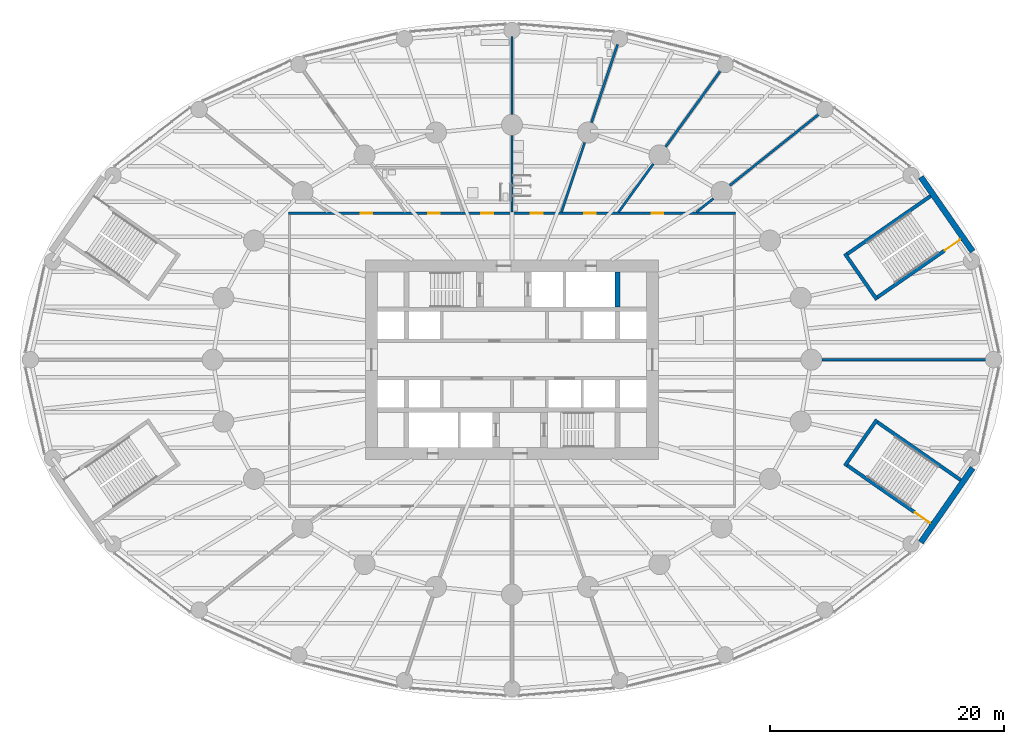
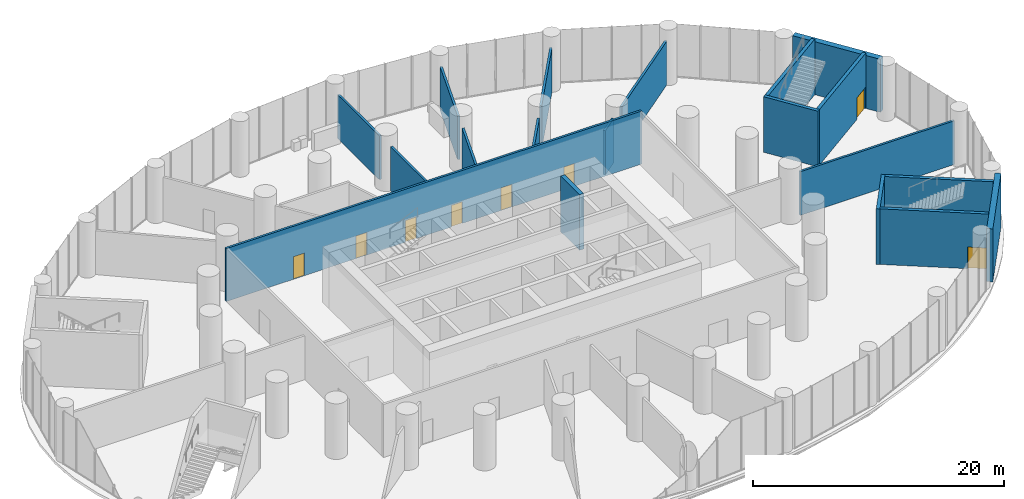
# One storey, part 18 of 23: 19 walls, 8 doors, 8 openings.
"""IFC4 building model written with IfcOpenShell, lengths in metres."""

from ifc_helpers import new_model, si_unit, direction, frame, frame_2d, origin, place, context, subcontext, project, spatial, rectangle, extrude, material, layer, layer_set, type_object, element, fill, save


model = new_model("IFC4")

# Units and contexts
model_context = context("Model", 3, precision=1e-05, world=origin(), true_north=direction((0.0, 1.0)))
body_context = subcontext(model_context, "Body", "Model", "MODEL_VIEW")
ifc_project = project(units=[si_unit("LENGTHUNIT", "METRE"), si_unit("AREAUNIT", "SQUARE_METRE"), si_unit("VOLUMEUNIT", "CUBIC_METRE"), si_unit("PLANEANGLEUNIT", "RADIAN"), si_unit("MASSUNIT", "GRAM", prefix="KILO")], contexts=[model_context])

# Site, building, storey
site_placement = place(None, origin())
site = spatial("IfcSite", under=ifc_project, at=site_placement, CompositionType="ELEMENT")
building_placement = place(site_placement, origin())
building = spatial("IfcBuilding", under=site, at=building_placement, Name="Hankou Lantern Tower", CompositionType="ELEMENT")
storey_placement = place(building_placement, frame((0.0, 0.0, 19.199951171875)))
storey = spatial("IfcBuildingStorey", under=building, at=storey_placement, Name="L03", CompositionType="ELEMENT", Elevation=19.199951171875)

# Wall
ifc_material_1 = material(Name="Concrete C60", Category="concrete")
ifc_layer_1 = layer(ifc_material_1, 0.39990234375)
ifc_layer_set_1 = layer_set([ifc_layer_1], Name="Concrete C60")
wall_type_1 = type_object("IfcWallType", Name="CW4 CORE CROSS WALL 400", PredefinedType="SHEAR", material=ifc_layer_set_1)
wall_1_placement = place(storey_placement, frame((9.0, 4.5, 0.0), z_axis=(0.0, 0.0, 1.0), x_axis=(0.0, 1.0, 0.0)))
element("IfcWall", 1, at=wall_1_placement, inside=storey, type_object=wall_type_1, Name="Core strip wall L03", PredefinedType="SHEAR", context=body_context, shape_type="SweptSolid", body=[
    extrude(rectangle(XDim=3.0, YDim=0.39990234375, at=frame_2d((1.5, 0.0))), origin(), (0.0, 0.0, 1.0), 5.400146484375),
])

# Wall, opening, door
ifc_material_2 = material(Name="Concrete C50", Category="concrete")
ifc_layer_2 = layer(ifc_material_2, 0.300048828125)
ifc_layer_set_2 = layer_set([ifc_layer_2], Name="Concrete C50")
wall_type_2 = type_object("IfcWallType", Name="CW7 PODIUM STAIR WALL 300", PredefinedType="SHEAR", material=ifc_layer_set_2)
wall_2_placement = place(storey_placement, frame((38.29931640625, 10.273681640625, 0.0), z_axis=(0.0, 0.0, 1.0), x_axis=(-0.820936803751, -0.571019057692, 0.0)))
wall_2 = element("IfcWall", 2, at=wall_2_placement, inside=storey, type_object=wall_type_2, Name="Podium stair P1 wall", PredefinedType="SHEAR", context=body_context, shape_type="SweptSolid", body=[
    extrude(rectangle(XDim=8.66015625, YDim=0.300048828125, at=frame_2d((4.330078125, 0.0))), origin(), (0.0, 0.0, 1.0), 5.400146484375),
])
opening_1_placement = place(wall_2_placement, frame((0.050048828125, 0.0, 0.0)))
opening_1 = element("IfcOpeningElement", 3, at=opening_1_placement, cuts=wall_2, Name="Opening D16", PredefinedType="OPENING", context=body_context, shape_type="SweptSolid", body=[
    extrude(rectangle(XDim=1.60009765625, YDim=2.10009765625, at=frame_2d((0.800048828125, 1.050048828125))), frame((0.0, 0.159912109375, 0.0), z_axis=(0.0, -1.0, 0.0), x_axis=(1.0, 0.0, 0.0)), (0.0, 0.0, 1.0), 0.320068359375),
])
ifc_material_3 = material(Name="Steel door leaf", Category="steel")
door_type_1 = type_object("IfcDoorType", Name="D16 PODIUM STAIR DOOR 1600X2100", OperationType="SINGLE_SWING_LEFT", PredefinedType="DOOR", material=ifc_material_3)
door_1_placement = place(opening_1_placement, origin())
door_1 = element("IfcDoor", 4, at=door_1_placement, inside=storey, type_object=door_type_1, Name="Podium stair P1 door", OperationType="SINGLE_SWING_RIGHT", OverallHeight=2.10009765625, OverallWidth=1.60009765625, PredefinedType="DOOR", context=body_context, shape_type="SweptSolid", body=[
    extrude(rectangle(XDim=1.60009765625, YDim=2.10009765625, at=frame_2d((0.800048828125, 1.050048828125))), frame((0.0, 0.02490234375, 0.0), z_axis=(0.0, -1.0, 0.0), x_axis=(1.0, 0.0, 0.0)), (0.0, 0.0, 1.0), 0.050048828125),
])
fill(opening_1, door_1)

# Walls
wall_3_placement = place(storey_placement, frame((35.7294921875, 13.968017578125, 0.0), z_axis=(0.0, 0.0, 1.0), x_axis=(-0.82092761123, -0.571032273274, 0.0)))
element("IfcWall", 5, at=wall_3_placement, inside=storey, type_object=wall_type_2, Name="Podium stair P1 wall", PredefinedType="SHEAR", context=body_context, shape_type="SweptSolid", body=[
    extrude(rectangle(XDim=8.659912109375, YDim=0.300048828125, at=frame_2d((4.330078125, 0.0))), origin(), (0.0, 0.0, 1.0), 5.400146484375),
])
wall_4_placement = place(storey_placement, frame((31.152587890625, 5.119873046875, 0.0), z_axis=(0.0, 0.0, 1.0), x_axis=(-0.571036173178, 0.820924898467, 0.0)))
element("IfcWall", 6, at=wall_4_placement, inside=storey, type_object=wall_type_2, Name="Podium stair P1 wall", PredefinedType="SHEAR", context=body_context, shape_type="SweptSolid", body=[
    extrude(rectangle(XDim=4.800048828125, YDim=0.300048828125, at=frame_2d((2.39990234375, 0.0))), origin(), (0.0, 0.0, 1.0), 5.400146484375),
])

# Wall, opening, door
wall_5_placement = place(storey_placement, frame((35.7294921875, -13.968017578125, 0.0), z_axis=(0.0, 0.0, 1.0), x_axis=(-0.82092761123, 0.571032273274, 0.0)))
wall_5 = element("IfcWall", 7, at=wall_5_placement, inside=storey, type_object=wall_type_2, Name="Podium stair P4 wall", PredefinedType="SHEAR", context=body_context, shape_type="SweptSolid", body=[
    extrude(rectangle(XDim=8.659912109375, YDim=0.300048828125, at=frame_2d((4.330078125, 0.0))), origin(), (0.0, 0.0, 1.0), 5.400146484375),
])
opening_2_placement = place(wall_5_placement, frame((0.050048828125, 0.0, 0.0)))
opening_2 = element("IfcOpeningElement", 8, at=opening_2_placement, cuts=wall_5, Name="Opening D16", PredefinedType="OPENING", context=body_context, shape_type="SweptSolid", body=[
    extrude(rectangle(XDim=1.60009765625, YDim=2.10009765625, at=frame_2d((0.800048828125, 1.050048828125))), frame((0.0, 0.159912109375, 0.0), z_axis=(0.0, -1.0, 0.0), x_axis=(1.0, 0.0, 0.0)), (0.0, 0.0, 1.0), 0.320068359375),
])
door_2_placement = place(opening_2_placement, origin())
door_2 = element("IfcDoor", 9, at=door_2_placement, inside=storey, type_object=door_type_1, Name="Podium stair P4 door", OperationType="SINGLE_SWING_LEFT", OverallHeight=2.10009765625, OverallWidth=1.60009765625, PredefinedType="DOOR", context=body_context, shape_type="SweptSolid", body=[
    extrude(rectangle(XDim=1.60009765625, YDim=2.10009765625, at=frame_2d((0.800048828125, 1.050048828125))), frame((0.0, 0.02490234375, 0.0), z_axis=(0.0, -1.0, 0.0), x_axis=(1.0, 0.0, 0.0)), (0.0, 0.0, 1.0), 0.050048828125),
])
fill(opening_2, door_2)

# Walls
wall_6_placement = place(storey_placement, frame((38.29931640625, -10.273681640625, 0.0), z_axis=(0.0, 0.0, 1.0), x_axis=(-0.820936803751, 0.571019057692, 0.0)))
element("IfcWall", 10, at=wall_6_placement, inside=storey, type_object=wall_type_2, Name="Podium stair P4 wall", PredefinedType="SHEAR", context=body_context, shape_type="SweptSolid", body=[
    extrude(rectangle(XDim=8.66015625, YDim=0.300048828125, at=frame_2d((4.330078125, 0.0))), origin(), (0.0, 0.0, 1.0), 5.400146484375),
])
wall_7_placement = place(storey_placement, frame((28.41162109375, -9.060302734375, 0.0), z_axis=(0.0, 0.0, 1.0), x_axis=(0.571036173178, 0.820924898467, 0.0)))
element("IfcWall", 11, at=wall_7_placement, inside=storey, type_object=wall_type_2, Name="Podium stair P4 wall", PredefinedType="SHEAR", context=body_context, shape_type="SweptSolid", body=[
    extrude(rectangle(XDim=4.800048828125, YDim=0.300048828125, at=frame_2d((2.39990234375, 0.0))), origin(), (0.0, 0.0, 1.0), 5.400146484375),
])
ifc_material_4 = material(Name="Granite cladding on reinforced concrete C50", Category="masonry")
ifc_layer_3 = layer(ifc_material_4, 0.5)
ifc_layer_set_3 = layer_set([ifc_layer_3], Name="Granite cladding on reinforced concrete C50")
wall_type_3 = type_object("IfcWallType", Name="EW2 STONE PORTAL WALL 500", PredefinedType="SOLIDWALL", material=ifc_layer_set_3)
for number, where, z_axis, x_axis, name in (
    (12, (39.3203125, 9.24365234375, 0.0), (0.0, 0.0, 1.0), (-0.571029335057, 0.820929655028, 0.0), "Portal wall R02 L03"),
    (13, (34.90478515625, -15.591552734375, 0.0), (0.0, 0.0, 1.0), (0.571029335057, 0.820929655028, 0.0), "Portal wall R23 L03"),
):
    element("IfcWall", number, at=place(storey_placement, frame(where, z_axis=z_axis, x_axis=x_axis)), inside=storey, type_object=wall_type_3, Name=name, PredefinedType="SOLIDWALL", context=body_context, shape_type="SweptSolid", body=[
        extrude(rectangle(XDim=7.732666015625, YDim=0.5, at=frame_2d((3.8662109375, 0.0))), origin(), (0.0, 0.0, 1.0), 5.150146484375),
    ])
ifc_material_5 = material(Name="Masonry dense concrete block", Category="masonry")
ifc_layer_4 = layer(ifc_material_5, 0.199951171875)
ifc_layer_set_4 = layer_set([ifc_layer_4], Name="Masonry dense concrete block")
wall_type_4 = type_object("IfcWallType", Name="FW1 COMPARTMENT FIRE WALL 200", PredefinedType="PARTITIONING", material=ifc_layer_set_4)
wall_8_placement = place(storey_placement, frame((26.449951171875, 0.0, 0.0), z_axis=(0.0, 0.0, 1.0), x_axis=(1.0, 0.0, 0.0)))
element("IfcWall", 14, at=wall_8_placement, inside=storey, type_object=wall_type_4, Name="Fire wall R01", PredefinedType="PARTITIONING", context=body_context, shape_type="SweptSolid", body=[
    extrude(rectangle(XDim=14.150146484375, YDim=0.199951171875, at=frame_2d((7.0751953125, 0.0))), origin(), (0.0, 0.0, 1.0), 4.25),
])

# Wall, openings, doors
ifc_material_6 = material(Name="Masonry lightweight concrete block", Category="masonry")
ifc_layer_5 = layer(ifc_material_6, 0.199951171875)
ifc_layer_set_5 = layer_set([ifc_layer_5], Name="Masonry lightweight concrete block")
wall_type_5 = type_object("IfcWallType", Name="IW2 CORRIDOR WALL 200", PredefinedType="PARTITIONING", material=ifc_layer_set_5)
wall_9_placement = place(storey_placement, frame((-19.10009765625, 12.5, 0.0), z_axis=(0.0, 0.0, 1.0), x_axis=(1.0, 0.0, 0.0)))
wall_9 = element("IfcWall", 15, at=wall_9_placement, inside=storey, type_object=wall_type_5, Name="Foyer wall north", PredefinedType="PARTITIONING", context=body_context, shape_type="SweptSolid", body=[
    extrude(rectangle(XDim=38.2001953125, YDim=0.199951171875, at=frame_2d((19.10009765625, 0.0))), origin(), (0.0, 0.0, 1.0), 5.150146484375),
])
opening_3_placement = place(wall_9_placement, frame((31.021728515625, 0.0, 0.0)))
opening_3 = element("IfcOpeningElement", 16, at=opening_3_placement, cuts=wall_9, Name="Opening D13", PredefinedType="OPENING", context=body_context, shape_type="SweptSolid", body=[
    extrude(rectangle(XDim=1.0, YDim=2.199951171875, at=frame_2d((0.5, 1.10009765625))), frame((0.0, 0.10986328125, 0.0), z_axis=(0.0, -1.0, 0.0), x_axis=(1.0, 0.0, 0.0)), (0.0, 0.0, 1.0), 0.219970703125),
])
opening_4_placement = place(wall_9_placement, frame((25.2568359375, 0.0, 0.0)))
opening_4 = element("IfcOpeningElement", 17, at=opening_4_placement, cuts=wall_9, Name="Opening D13", PredefinedType="OPENING", context=body_context, shape_type="SweptSolid", body=[
    extrude(rectangle(XDim=1.0, YDim=2.199951171875, at=frame_2d((0.5, 1.10009765625))), frame((0.0, 0.10986328125, 0.0), z_axis=(0.0, -1.0, 0.0), x_axis=(1.0, 0.0, 0.0)), (0.0, 0.0, 1.0), 0.219970703125),
])
opening_5_placement = place(wall_9_placement, frame((20.710205078125, 0.0, 0.0)))
opening_5 = element("IfcOpeningElement", 18, at=opening_5_placement, cuts=wall_9, Name="Opening D22", PredefinedType="OPENING", context=body_context, shape_type="SweptSolid", body=[
    extrude(rectangle(XDim=1.0, YDim=2.10009765625, at=frame_2d((0.5, 1.050048828125))), frame((0.0, 0.10986328125, 0.0), z_axis=(0.0, -1.0, 0.0), x_axis=(1.0, 0.0, 0.0)), (0.0, 0.0, 1.0), 0.219970703125),
])
opening_6_placement = place(wall_9_placement, frame((16.489990234375, 0.0, 0.0)))
opening_6 = element("IfcOpeningElement", 19, at=opening_6_placement, cuts=wall_9, Name="Opening D22", PredefinedType="OPENING", context=body_context, shape_type="SweptSolid", body=[
    extrude(rectangle(XDim=1.0, YDim=2.10009765625, at=frame_2d((0.5, 1.050048828125))), frame((0.0, 0.10986328125, 0.0), z_axis=(0.0, -1.0, 0.0), x_axis=(1.0, 0.0, 0.0)), (0.0, 0.0, 1.0), 0.219970703125),
])
opening_7_placement = place(wall_9_placement, frame((11.943359375, 0.0, 0.0)))
opening_7 = element("IfcOpeningElement", 20, at=opening_7_placement, cuts=wall_9, Name="Opening D11", PredefinedType="OPENING", context=body_context, shape_type="SweptSolid", body=[
    extrude(rectangle(XDim=1.0, YDim=2.199951171875, at=frame_2d((0.5, 1.10009765625))), frame((0.0, 0.10986328125, 0.0), z_axis=(0.0, -1.0, 0.0), x_axis=(1.0, 0.0, 0.0)), (0.0, 0.0, 1.0), 0.219970703125),
])
opening_8_placement = place(wall_9_placement, frame((6.178466796875, 0.0, 0.0)))
opening_8 = element("IfcOpeningElement", 21, at=opening_8_placement, cuts=wall_9, Name="Opening D13", PredefinedType="OPENING", context=body_context, shape_type="SweptSolid", body=[
    extrude(rectangle(XDim=1.0, YDim=2.199951171875, at=frame_2d((0.5, 1.10009765625))), frame((0.0, 0.10986328125, 0.0), z_axis=(0.0, -1.0, 0.0), x_axis=(1.0, 0.0, 0.0)), (0.0, 0.0, 1.0), 0.219970703125),
])
ifc_material_7 = material(Name="Timber door leaf", Category="wood")
door_type_2 = type_object("IfcDoorType", Name="D11 ACCESSIBLE WC DOOR 1000X2200", OperationType="SLIDING_TO_LEFT", PredefinedType="DOOR", material=ifc_material_7)
door_3_placement = place(opening_7_placement, origin())
door_3 = element("IfcDoor", 22, at=door_3_placement, inside=storey, type_object=door_type_2, Name="Accessible WC door", OperationType="SLIDING_TO_LEFT", OverallHeight=2.199951171875, OverallWidth=1.0, PredefinedType="DOOR", context=body_context, shape_type="SweptSolid", body=[
    extrude(rectangle(XDim=1.0, YDim=2.199951171875, at=frame_2d((0.5, 1.10009765625))), frame((0.0, 0.02490234375, 0.0), z_axis=(0.0, -1.0, 0.0), x_axis=(1.0, 0.0, 0.0)), (0.0, 0.0, 1.0), 0.050048828125),
])
fill(opening_7, door_3)
ifc_material_8 = material(Name="Timber door leaf", Category="wood")
door_type_3 = type_object("IfcDoorType", Name="D13 ROOM DOOR 1000X2200", OperationType="SINGLE_SWING_LEFT", PredefinedType="DOOR", material=ifc_material_8)
door_4_placement = place(opening_3_placement, origin())
door_4 = element("IfcDoor", 23, at=door_4_placement, inside=storey, type_object=door_type_3, Name="Treatment room 301 door", OperationType="SINGLE_SWING_LEFT", OverallHeight=2.199951171875, OverallWidth=1.0, PredefinedType="DOOR", context=body_context, shape_type="SweptSolid", body=[
    extrude(rectangle(XDim=1.0, YDim=2.199951171875, at=frame_2d((0.5, 1.10009765625))), frame((0.0, 0.02490234375, 0.0), z_axis=(0.0, -1.0, 0.0), x_axis=(1.0, 0.0, 0.0)), (0.0, 0.0, 1.0), 0.050048828125),
])
fill(opening_3, door_4)
door_5_placement = place(opening_4_placement, origin())
door_5 = element("IfcDoor", 24, at=door_5_placement, inside=storey, type_object=door_type_3, Name="Treatment room 302 door", OperationType="SINGLE_SWING_LEFT", OverallHeight=2.199951171875, OverallWidth=1.0, PredefinedType="DOOR", context=body_context, shape_type="SweptSolid", body=[
    extrude(rectangle(XDim=1.0, YDim=2.199951171875, at=frame_2d((0.5, 1.10009765625))), frame((0.0, 0.02490234375, 0.0), z_axis=(0.0, -1.0, 0.0), x_axis=(1.0, 0.0, 0.0)), (0.0, 0.0, 1.0), 0.050048828125),
])
fill(opening_4, door_5)
door_6_placement = place(opening_8_placement, origin())
door_6 = element("IfcDoor", 25, at=door_6_placement, inside=storey, type_object=door_type_3, Name="Treatment room 303 door", OperationType="SINGLE_SWING_RIGHT", OverallHeight=2.199951171875, OverallWidth=1.0, PredefinedType="DOOR", context=body_context, shape_type="SweptSolid", body=[
    extrude(rectangle(XDim=1.0, YDim=2.199951171875, at=frame_2d((0.5, 1.10009765625))), frame((0.0, 0.02490234375, 0.0), z_axis=(0.0, -1.0, 0.0), x_axis=(1.0, 0.0, 0.0)), (0.0, 0.0, 1.0), 0.050048828125),
])
fill(opening_8, door_6)
ifc_material_9 = material(Name="Timber door leaf", Category="wood")
door_type_4 = type_object("IfcDoorType", Name="D22 WIDE WC DOOR 1000X2100", OperationType="SINGLE_SWING_LEFT", PredefinedType="DOOR", material=ifc_material_9)
door_7_placement = place(opening_5_placement, origin())
door_7 = element("IfcDoor", 26, at=door_7_placement, inside=storey, type_object=door_type_4, Name="Male changing room door", OperationType="SINGLE_SWING_RIGHT", OverallHeight=2.10009765625, OverallWidth=1.0, PredefinedType="DOOR", context=body_context, shape_type="SweptSolid", body=[
    extrude(rectangle(XDim=1.0, YDim=2.10009765625, at=frame_2d((0.5, 1.050048828125))), frame((0.0, 0.02490234375, 0.0), z_axis=(0.0, -1.0, 0.0), x_axis=(1.0, 0.0, 0.0)), (0.0, 0.0, 1.0), 0.050048828125),
])
fill(opening_5, door_7)
door_8_placement = place(opening_6_placement, origin())
door_8 = element("IfcDoor", 27, at=door_8_placement, inside=storey, type_object=door_type_4, Name="Female changing room door", OperationType="SINGLE_SWING_LEFT", OverallHeight=2.10009765625, OverallWidth=1.0, PredefinedType="DOOR", context=body_context, shape_type="SweptSolid", body=[
    extrude(rectangle(XDim=1.0, YDim=2.10009765625, at=frame_2d((0.5, 1.050048828125))), frame((0.0, 0.02490234375, 0.0), z_axis=(0.0, -1.0, 0.0), x_axis=(1.0, 0.0, 0.0)), (0.0, 0.0, 1.0), 0.050048828125),
])
fill(opening_6, door_8)

# Walls
ifc_material_10 = material(Name="Masonry lightweight concrete block", Category="masonry")
ifc_layer_6 = layer(ifc_material_10, 0.199951171875)
ifc_layer_set_6 = layer_set([ifc_layer_6], Name="Masonry lightweight concrete block")
wall_type_6 = type_object("IfcWallType", Name="IW8 PARTITION 200", PredefinedType="PARTITIONING", material=ifc_layer_set_6)
wall_10_placement = place(storey_placement, frame((15.75, 12.60009765625, 0.0), z_axis=(0.0, 0.0, 1.0), x_axis=(0.780881734892, 0.6246788904, 0.0)))
element("IfcWall", 28, at=wall_10_placement, inside=storey, type_object=wall_type_6, Name="Partition R04", PredefinedType="PARTITIONING", context=body_context, shape_type="SweptSolid", body=[
    extrude(rectangle(XDim=1.8427734375, YDim=0.199951171875, at=frame_2d((0.92138671875, 0.0))), origin(), (0.0, 0.0, 1.0), 4.300048828125),
])
wall_11_placement = place(storey_placement, frame((18.594482421875, 14.87548828125, 0.0), z_axis=(0.0, 0.0, 1.0), x_axis=(0.780868809443, 0.624695047554, 0.0)))
element("IfcWall", 29, at=wall_11_placement, inside=storey, type_object=wall_type_6, Name="Partition R04", PredefinedType="PARTITIONING", context=body_context, shape_type="SweptSolid", body=[
    extrude(rectangle(XDim=9.883056640625, YDim=0.199951171875, at=frame_2d((4.94140625, 0.0))), origin(), (0.0, 0.0, 1.0), 4.25),
])
wall_12_placement = place(storey_placement, frame((9.09326171875, 12.60009765625, 0.0), z_axis=(0.0, 0.0, 1.0), x_axis=(0.58522538525, 0.810870673079, 0.0)))
element("IfcWall", 30, at=wall_12_placement, inside=storey, type_object=wall_type_6, Name="Partition R05", PredefinedType="PARTITIONING", context=body_context, shape_type="SweptSolid", body=[
    extrude(rectangle(XDim=5.07666015625, YDim=0.199951171875, at=frame_2d((2.538330078125, 0.0))), origin(), (0.0, 0.0, 1.0), 4.300048828125),
])
wall_13_placement = place(storey_placement, frame((13.11767578125, 18.17626953125, 0.0), z_axis=(0.0, 0.0, 1.0), x_axis=(0.585204349301, 0.810885854828, 0.0)))
element("IfcWall", 31, at=wall_13_placement, inside=storey, type_object=wall_type_6, Name="Partition R05", PredefinedType="PARTITIONING", context=body_context, shape_type="SweptSolid", body=[
    extrude(rectangle(XDim=8.1611328125, YDim=0.199951171875, at=frame_2d((4.08056640625, 0.0))), origin(), (0.0, 0.0, 1.0), 4.25),
])
wall_14_placement = place(storey_placement, frame((4.22021484375, 12.60009765625, 0.0), z_axis=(0.0, 0.0, 1.0), x_axis=(0.317584173452, 0.9482300843, 0.0)))
element("IfcWall", 32, at=wall_14_placement, inside=storey, type_object=wall_type_6, Name="Partition R06", PredefinedType="PARTITIONING", context=body_context, shape_type="SweptSolid", body=[
    extrude(rectangle(XDim=6.26220703125, YDim=0.199951171875, at=frame_2d((3.131103515625, 0.0))), origin(), (0.0, 0.0, 1.0), 4.300048828125),
])
wall_15_placement = place(storey_placement, frame((6.78076171875, 20.244873046875, 0.0), z_axis=(0.0, 0.0, 1.0), x_axis=(0.317580622989, 0.948231273425, 0.0)))
element("IfcWall", 33, at=wall_15_placement, inside=storey, type_object=wall_type_6, Name="Partition R06", PredefinedType="PARTITIONING", context=body_context, shape_type="SweptSolid", body=[
    extrude(rectangle(XDim=7.036376953125, YDim=0.199951171875, at=frame_2d((3.51806640625, 0.0))), origin(), (0.0, 0.0, 1.0), 4.25),
])
wall_16_placement = place(storey_placement, frame((0.0, 12.60009765625, 0.0), z_axis=(0.0, 0.0, 1.0), x_axis=(0.0, 1.0, 0.0)))
element("IfcWall", 34, at=wall_16_placement, inside=storey, type_object=wall_type_6, Name="Partition R07", PredefinedType="PARTITIONING", context=body_context, shape_type="SweptSolid", body=[
    extrude(rectangle(XDim=6.5498046875, YDim=0.199951171875, at=frame_2d((3.27490234375, 0.0))), origin(), (0.0, 0.0, 1.0), 4.300048828125),
])
wall_17_placement = place(storey_placement, frame((0.0, 20.949951171875, 0.0), z_axis=(0.0, 0.0, 1.0), x_axis=(0.0, 1.0, 0.0)))
element("IfcWall", 35, at=wall_17_placement, inside=storey, type_object=wall_type_6, Name="Partition R07", PredefinedType="PARTITIONING", context=body_context, shape_type="SweptSolid", body=[
    extrude(rectangle(XDim=6.650146484375, YDim=0.199951171875, at=frame_2d((3.3251953125, 0.0))), origin(), (0.0, 0.0, 1.0), 4.25),
])

save(model, "model.ifc")
